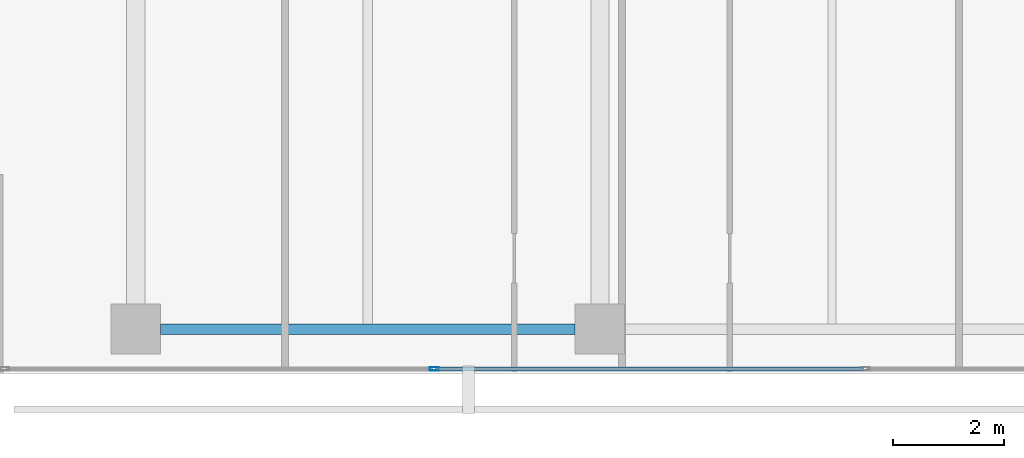
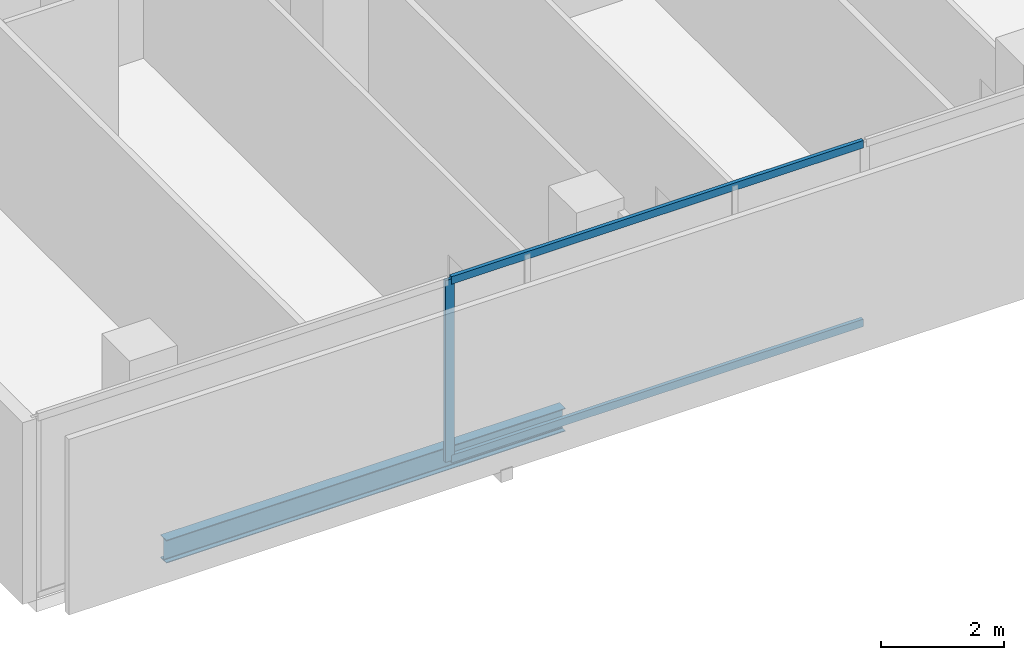
# One storey, part 3 of 40: 3 members, 1 beam, 1 element without a shape of its own.
"""IFC4 building model written with IfcOpenShell, lengths in metres."""

from ifc_helpers import new_model, si_unit, direction, frame, origin, origin_2d, place, context, subcontext, project, spatial, hollow_rectangle, i_section, extrude, material, layer, layer_set, material_profile, profile_set, type_object, element, aggregate, save


model = new_model("IFC4")

# Units and contexts
model_context = context("Model", 3, precision=1e-05, world=origin(), true_north=direction((0.0, 1.0)))
body_context = subcontext(model_context, "Body", "Model", "MODEL_VIEW")
ifc_project = project(units=[si_unit("LENGTHUNIT", "METRE"), si_unit("AREAUNIT", "SQUARE_METRE"), si_unit("VOLUMEUNIT", "CUBIC_METRE"), si_unit("PLANEANGLEUNIT", "RADIAN"), si_unit("MASSUNIT", "GRAM", prefix="KILO")], contexts=[model_context])

# Site, building, storey
site_placement = place(None, origin())
site = spatial("IfcSite", under=ifc_project, at=site_placement, CompositionType="ELEMENT")
building_placement = place(site_placement, origin())
building = spatial("IfcBuilding", under=site, at=building_placement, Name="Maruvema Waterfront Hotel and Observation Tower", CompositionType="ELEMENT")
storey_placement = place(building_placement, frame((0.0, 0.0, 34.64990234375)))
storey = spatial("IfcBuildingStorey", under=building, at=storey_placement, Name="L07", CompositionType="ELEMENT", Elevation=34.64990234375)

# Curtain wall, members
ifc_material_1 = material(Name="Anodised bronze aluminium and solar-control low-E IGU", Category="aluminium")
ifc_layer = layer(ifc_material_1, 0.159912109375, Name="Zone 1 Bronze Inner Thermal Curtain Wall System CW-02")
ifc_layer_set = layer_set([ifc_layer], Name="Anodised bronze aluminium and solar-control low-E IGU")
curtain_wall_type = type_object("IfcCurtainWallType", Name="Zone 1 Bronze Inner Thermal Curtain Wall System CW-02", PredefinedType="USERDEFINED", material=ifc_layer_set)
curtain_wall_placement = place(storey_placement, origin())
curtain_wall = element("IfcCurtainWall", 1, at=curtain_wall_placement, inside=storey, type_object=curtain_wall_type, Name="L07 Curtain Wall CW-L07-S", ObjectType="UNITISED CURTAIN WALL", PredefinedType="USERDEFINED")
ifc_material_2 = material(Name="Anodised architectural bronze aluminium", Category="aluminium")
ifc_material_profile_1 = material_profile(ifc_material_2, hollow_rectangle(XDim=0.070068359375, YDim=0.14990234375, WallThickness=0.00390625, at=origin_2d()), Name="ALU-T70x150")
ifc_profile_set_1 = profile_set([ifc_material_profile_1], Name="Anodised architectural bronze aluminium")
member_type_1 = type_object("IfcMemberType", Name="Curtain Wall Horizontal Transom ALU-T70x150", PredefinedType="USERDEFINED", material=ifc_profile_set_1)
member_1_placement = place(storey_placement, frame((22.22998046875, 0.080078125, 0.030029296875), z_axis=(1.0, 0.0, 0.0), x_axis=(0.0, 1.0, 0.0)))
member_1 = element("IfcMember", 2, at=member_1_placement, type_object=member_type_1, Name="CW-02 transom 2.1", ObjectType="TRANSOM", PredefinedType="USERDEFINED", context=body_context, shape_type="SweptSolid", body=[
    extrude(hollow_rectangle(XDim=0.070068359375, YDim=0.14990234375, WallThickness=0.00390625, at=origin_2d()), origin(), (0.0, 0.0, 1.0), 7.739990234375),
])
member_2_placement = place(storey_placement, frame((22.22998046875, 0.080078125, 3.580078125), z_axis=(1.0, 0.0, 0.0), x_axis=(0.0, 1.0, 0.0)))
member_2 = element("IfcMember", 3, at=member_2_placement, type_object=member_type_1, Name="CW-02 transom 2.2", ObjectType="TRANSOM", PredefinedType="USERDEFINED", context=body_context, shape_type="SweptSolid", body=[
    extrude(hollow_rectangle(XDim=0.070068359375, YDim=0.14990234375, WallThickness=0.00390625, at=origin_2d()), origin(), (0.0, 0.0, 1.0), 7.739990234375),
])
ifc_material_3 = material(Name="Anodised architectural bronze aluminium", Category="aluminium")
ifc_material_profile_2 = material_profile(ifc_material_3, hollow_rectangle(XDim=0.06494140625, YDim=0.1650390625, WallThickness=0.00390625, at=origin_2d()), Name="ALU-M65x165")
ifc_profile_set_2 = profile_set([ifc_material_profile_2], Name="Anodised architectural bronze aluminium")
member_type_2 = type_object("IfcMemberType", Name="Curtain Wall Primary Mullion ALU-M65x165", PredefinedType="MULLION", material=ifc_profile_set_2)
member_3_placement = place(storey_placement, frame((22.199951171875, 0.080078125, 0.0), z_axis=(0.0, 0.0, 1.0), x_axis=(0.0, 1.0, 0.0)))
member_3 = element("IfcMember", 4, at=member_3_placement, type_object=member_type_2, Name="CW-02 mullion 2", PredefinedType="MULLION", context=body_context, shape_type="SweptSolid", body=[
    extrude(hollow_rectangle(XDim=0.06494140625, YDim=0.1650390625, WallThickness=0.00390625, at=origin_2d()), origin(), (0.0, 0.0, 1.0), 3.610107421875),
])
aggregate(curtain_wall, [member_3, member_1, member_2])

# Beam
ifc_material_4 = material(Name="Steel ASTM A572 Grade 50", Category="steel")
ifc_material_profile_3 = material_profile(ifc_material_4, i_section(OverallWidth=0.18994140625, OverallDepth=0.45703125, WebThickness=0.009033203125, FlangeThickness=0.014404296875, FilletRadius=0.014892578125, at=origin_2d()), Name="W460x74.0")
ifc_profile_set_3 = profile_set([ifc_material_profile_3], Name="Steel ASTM A572 Grade 50")
beam_type = type_object("IfcBeamType", Name="Perimeter Spandrel Beam W460x74.0", PredefinedType="SPANDREL", material=ifc_profile_set_3)
beam_placement = place(storey_placement, frame((17.25, 0.800048828125, -0.468505859375), z_axis=(1.0, 0.0, 0.0), x_axis=(0.0, 1.0, 0.0)))
element("IfcBeam", 5, at=beam_placement, inside=storey, type_object=beam_type, Name="L07 Floor Girder EW-01", PredefinedType="SPANDREL", context=body_context, shape_type="SweptSolid", body=[
    extrude(i_section(OverallWidth=0.18994140625, OverallDepth=0.45703125, WebThickness=0.009033203125, FlangeThickness=0.014404296875, FilletRadius=0.014892578125, at=origin_2d()), origin(), (0.0, 0.0, 1.0), 7.5),
])

save(model, "model.ifc")
